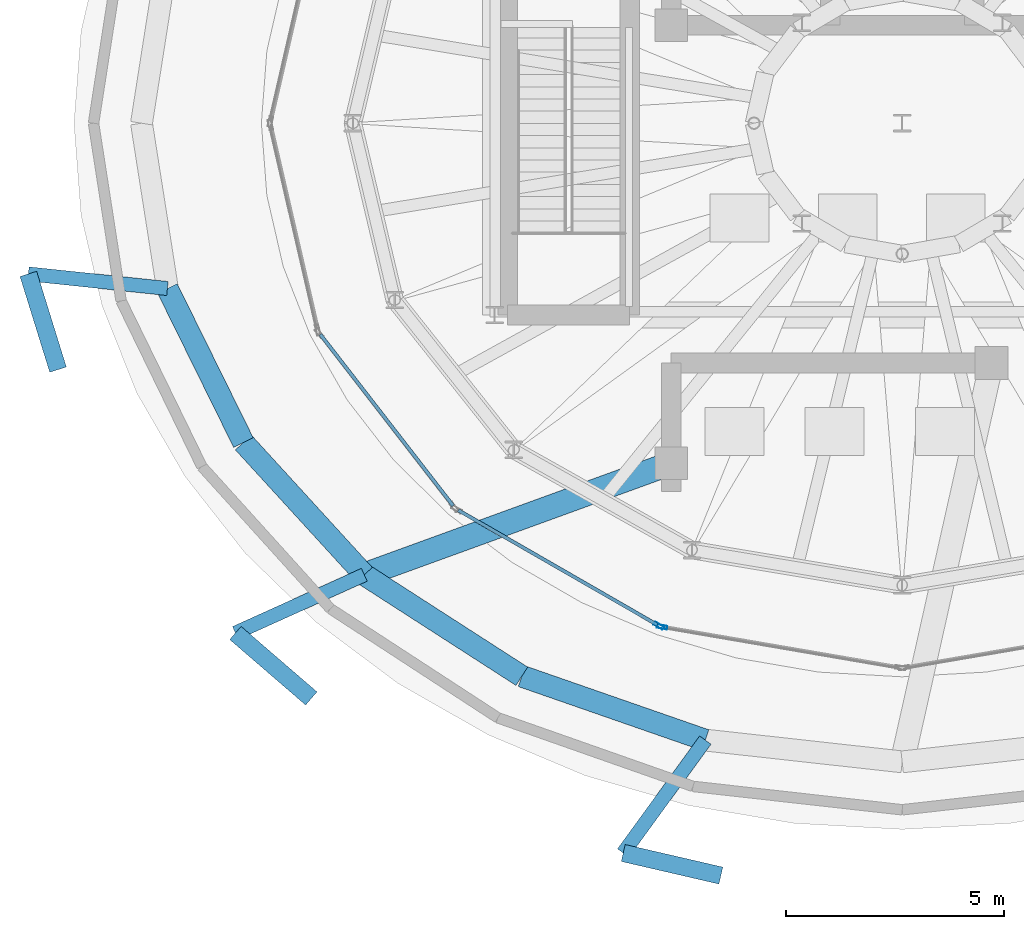
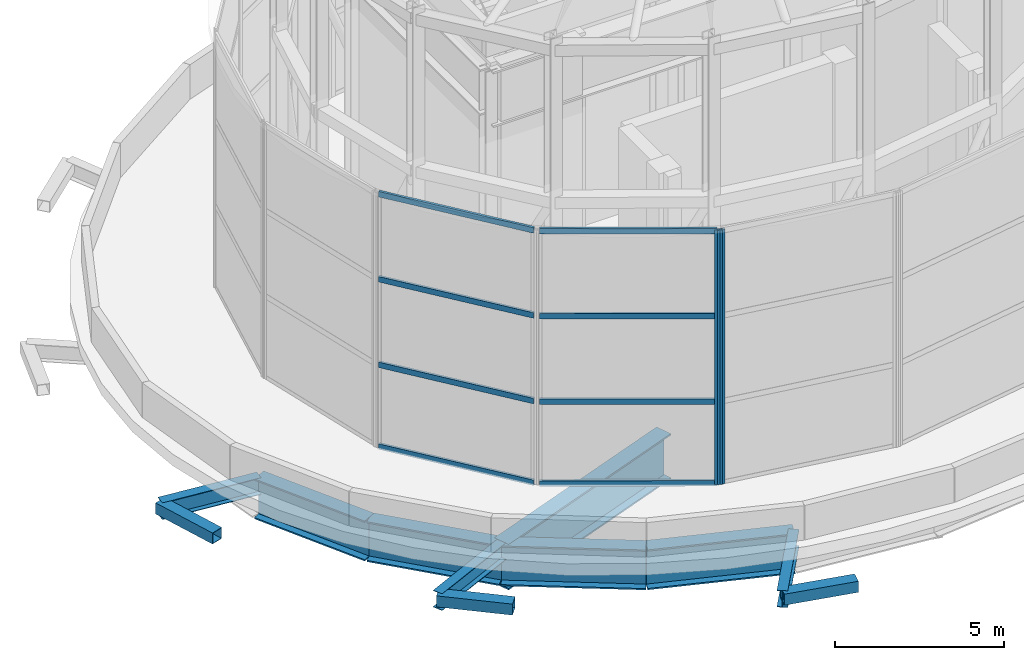
# One storey, part 2 of 22: 11 beams, 10 members, 3 elements without a shape of their own.
"""IFC4 building model written with IfcOpenShell, lengths in metres."""

from ifc_helpers import new_model, si_unit, direction, frame, origin, origin_2d, place, context, subcontext, project, spatial, hollow_rectangle, i_section, extrude, material, layer, layer_set, material_profile, profile_set, type_object, element, aggregate, save


model = new_model("IFC4")

# Units and contexts
model_context = context("Model", 3, precision=1e-05, world=origin(), true_north=direction((0.0, 1.0)))
body_context = subcontext(model_context, "Body", "Model", "MODEL_VIEW")
ifc_project = project(units=[si_unit("LENGTHUNIT", "METRE"), si_unit("AREAUNIT", "SQUARE_METRE"), si_unit("VOLUMEUNIT", "CUBIC_METRE"), si_unit("PLANEANGLEUNIT", "RADIAN"), si_unit("MASSUNIT", "GRAM", prefix="KILO")], contexts=[model_context])

# Site, building, storey
site_placement = place(None, origin())
site = spatial("IfcSite", under=ifc_project, at=site_placement, CompositionType="ELEMENT")
building_placement = place(site_placement, origin())
building = spatial("IfcBuilding", under=site, at=building_placement, Name="Nuhasar Tower", CompositionType="ELEMENT")
storey_placement = place(building_placement, frame((0.0, 0.0, 313.39990234375)))
storey = spatial("IfcBuildingStorey", under=building, at=storey_placement, Name="Roof Drum", CompositionType="ELEMENT", Elevation=313.39990234375)

# Beams
ifc_material_1 = material(Name="Steel S355", Category="steel")
ifc_material_profile_1 = material_profile(ifc_material_1, hollow_rectangle(XDim=0.39990234375, YDim=0.39990234375, WallThickness=0.01611328125, at=origin_2d()), Name="HSS400X400X16")
ifc_profile_set_1 = profile_set([ifc_material_profile_1], Name="Steel S355")
beam_type_1 = type_object("IfcBeamType", Name="BM-CRN-HSS400", PredefinedType="SPANDREL", material=ifc_profile_set_1)
beam_1_placement = place(storey_placement, frame((18.9541015625, 23.343017578125, -0.619873046875), z_axis=(0.296539469772, -0.955020598138, 0.0), x_axis=(0.955020598138, 0.296539469772, 0.0)))
element("IfcBeam", 1, at=beam_1_placement, inside=storey, type_object=beam_type_1, Name="Roof Drum Top Exoskeleton Collar Beam 07", PredefinedType="SPANDREL", context=body_context, shape_type="SweptSolid", body=[
    extrude(hollow_rectangle(XDim=0.39990234375, YDim=0.39990234375, WallThickness=0.01611328125, at=origin_2d()), origin(), (0.0, 0.0, 1.0), 2.299560546875),
])
for number, where, z_axis, x_axis, name in (
    (2, (23.7041015625, 15.10595703125, -0.619873046875), (0.757350224271, -0.653008910962, 0.0), (0.653008910962, 0.757350224271, 0.0), "Roof Drum Top Exoskeleton Collar Beam 08"),
    (3, (32.60009765625, 10.05908203125, -0.619873046875), (0.974303462715, -0.225239345014, 0.0), (0.225239345014, 0.974303462715, 0.0), "Roof Drum Top Exoskeleton Collar Beam 09"),
):
    element("IfcBeam", number, at=place(storey_placement, frame(where, z_axis=z_axis, x_axis=x_axis)), inside=storey, type_object=beam_type_1, Name=name, PredefinedType="SPANDREL", context=body_context, shape_type="SweptSolid", body=[
        extrude(hollow_rectangle(XDim=0.39990234375, YDim=0.39990234375, WallThickness=0.01611328125, at=origin_2d()), origin(), (0.0, 0.0, 1.0), 2.300048828125),
    ])
ifc_material_profile_2 = material_profile(ifc_material_1, i_section(OverallWidth=0.323974609375, OverallDepth=0.611083984375, WebThickness=0.0126953125, FlangeThickness=0.01904296875, at=origin_2d()), Name="W24X104")
ifc_profile_set_2 = profile_set([ifc_material_profile_2], Name="Steel S355")
beam_type_2 = type_object("IfcBeamType", Name="BM-TIE-W24X104", PredefinedType="BEAM", material=ifc_profile_set_2)
beam_2_placement = place(storey_placement, frame((22.14501953125, 23.008056640625, -0.724853515625), z_axis=(-0.994535432279, 0.104399587841, 0.0), x_axis=(-0.104399587841, -0.994535432279, 0.0)))
element("IfcBeam", 4, at=beam_2_placement, inside=storey, type_object=beam_type_2, Name="Roof Drum Top Exoskeleton Tie Beam 07", PredefinedType="BEAM", context=body_context, shape_type="SweptSolid", body=[
    extrude(i_section(OverallWidth=0.323974609375, OverallDepth=0.611083984375, WebThickness=0.0126953125, FlangeThickness=0.01904296875, at=origin_2d()), origin(), (0.0, 0.0, 1.0), 3.20849609375),
])
beam_3_placement = place(storey_placement, frame((26.660888671875, 16.44091796875, -0.724853515625), z_axis=(-0.911412482732, -0.411493968754, 0.0), x_axis=(0.411493968754, -0.911412482732, 0.0)))
element("IfcBeam", 5, at=beam_3_placement, inside=storey, type_object=beam_type_2, Name="Roof Drum Top Exoskeleton Tie Beam 08", PredefinedType="BEAM", context=body_context, shape_type="SweptSolid", body=[
    extrude(i_section(OverallWidth=0.323974609375, OverallDepth=0.611083984375, WebThickness=0.0126953125, FlangeThickness=0.01904296875, at=origin_2d()), origin(), (0.0, 0.0, 1.0), 3.244140625),
])
beam_4_placement = place(storey_placement, frame((34.48388671875, 12.64892578125, -0.724853515625), z_axis=(-0.588226090754, -0.808696522903, 0.0), x_axis=(0.808696522903, -0.588226090754, 0.0)))
element("IfcBeam", 6, at=beam_4_placement, inside=storey, type_object=beam_type_2, Name="Roof Drum Top Exoskeleton Tie Beam 09", PredefinedType="BEAM", context=body_context, shape_type="SweptSolid", body=[
    extrude(i_section(OverallWidth=0.323974609375, OverallDepth=0.611083984375, WebThickness=0.0126953125, FlangeThickness=0.01904296875, at=origin_2d()), origin(), (0.0, 0.0, 1.0), 3.202392578125),
])
ifc_material_2 = material(Name="Steel S460", Category="steel")
ifc_material_profile_3 = material_profile(ifc_material_2, i_section(OverallWidth=0.5, OverallDepth=1.449951171875, WebThickness=0.028076171875, FlangeThickness=0.050048828125, at=origin_2d()), Name="PG1450X500")
ifc_profile_set_3 = profile_set([ifc_material_profile_3], Name="Steel S460")
beam_type_3 = type_object("IfcBeamType", Name="BM-XFER-PG1450", PredefinedType="USERDEFINED", material=ifc_profile_set_3)
beam_5_placement = place(storey_placement, frame((22.14501953125, 23.008056640625, -1.14501953125), z_axis=(0.442422907363, -0.896806540476, 0.0), x_axis=(0.896806540476, 0.442422907363, 0.0)))
element("IfcBeam", 7, at=beam_5_placement, inside=storey, type_object=beam_type_3, Name="Roof Drum Outer Setback Spandrel 14", ObjectType="GIRDER", PredefinedType="USERDEFINED", context=body_context, shape_type="SweptSolid", body=[
    extrude(i_section(OverallWidth=0.5, OverallDepth=1.449951171875, WebThickness=0.028076171875, FlangeThickness=0.050048828125, at=origin_2d()), origin(), (0.0, 0.0, 1.0), 3.939453125),
])
beam_6_placement = place(storey_placement, frame((23.887939453125, 19.47509765625, -1.14501953125), z_axis=(0.674615744009, -0.738169084922, 0.0), x_axis=(0.738169084922, 0.674615744009, 0.0)))
element("IfcBeam", 8, at=beam_6_placement, inside=storey, type_object=beam_type_3, Name="Roof Drum Outer Setback Spandrel 15", ObjectType="GIRDER", PredefinedType="USERDEFINED", context=body_context, shape_type="SweptSolid", body=[
    extrude(i_section(OverallWidth=0.5, OverallDepth=1.449951171875, WebThickness=0.028076171875, FlangeThickness=0.050048828125, at=origin_2d()), origin(), (0.0, 0.0, 1.0), 4.1103515625),
])
beam_7_placement = place(storey_placement, frame((26.660888671875, 16.44091796875, -1.14501953125), z_axis=(0.840692841322, -0.541512277377, 0.0), x_axis=(0.541512277377, 0.840692841322, 0.0)))
element("IfcBeam", 9, at=beam_7_placement, inside=storey, type_object=beam_type_3, Name="Roof Drum Outer Setback Spandrel 16", ObjectType="GIRDER", PredefinedType="USERDEFINED", context=body_context, shape_type="SweptSolid", body=[
    extrude(i_section(OverallWidth=0.5, OverallDepth=1.449951171875, WebThickness=0.028076171875, FlangeThickness=0.050048828125, at=origin_2d()), origin(), (0.0, 0.0, 1.0), 4.298828125),
])
beam_8_placement = place(storey_placement, frame((30.27490234375, 14.113037109375, -1.14501953125), z_axis=(0.944488666475, -0.328543998425, 0.0), x_axis=(0.328543998425, 0.944488666475, 0.0)))
element("IfcBeam", 10, at=beam_8_placement, inside=storey, type_object=beam_type_3, Name="Roof Drum Outer Setback Spandrel 17", ObjectType="GIRDER", PredefinedType="USERDEFINED", context=body_context, shape_type="SweptSolid", body=[
    extrude(i_section(OverallWidth=0.5, OverallDepth=1.449951171875, WebThickness=0.028076171875, FlangeThickness=0.050048828125, at=origin_2d()), origin(), (0.0, 0.0, 1.0), 4.456298828125),
])
ifc_material_profile_4 = material_profile(ifc_material_2, i_section(OverallWidth=0.550048828125, OverallDepth=1.64990234375, WebThickness=0.031982421875, FlangeThickness=0.054931640625, at=origin_2d()), Name="PG1650X550")
ifc_profile_set_4 = profile_set([ifc_material_profile_4], Name="Steel S460")
beam_type_4 = type_object("IfcBeamType", Name="BM-XFER-PG1650", PredefinedType="USERDEFINED", material=ifc_profile_set_4)
beam_9_placement = place(storey_placement, frame((33.699951171875, 19.0, -1.244873046875), z_axis=(-0.939818165705, -0.341675014321, 0.0), x_axis=(0.341675014321, -0.939818165705, 0.0)))
element("IfcBeam", 11, at=beam_9_placement, inside=storey, type_object=beam_type_4, Name="Roof Drum Primary Radial Transfer Girder 01", ObjectType="GIRDER", PredefinedType="USERDEFINED", context=body_context, shape_type="SweptSolid", body=[
    extrude(i_section(OverallWidth=0.550048828125, OverallDepth=1.64990234375, WebThickness=0.031982421875, FlangeThickness=0.054931640625, at=origin_2d()), origin(), (0.0, 0.0, 1.0), 7.48974609375),
])

# Curtain wall, member
ifc_material_3 = material(Name="Aluminium 6063-T6", Category="aluminium")
ifc_layer = layer(ifc_material_3, 0.219970703125)
ifc_layer_set = layer_set([ifc_layer], Name="Aluminium 6063-T6")
curtain_wall_type = type_object("IfcCurtainWallType", Name="CW-CROWN", PredefinedType="NOTDEFINED", material=ifc_layer_set)
curtain_wall_1_placement = place(storey_placement, origin())
curtain_wall_1 = element("IfcCurtainWall", 12, at=curtain_wall_1_placement, inside=storey, type_object=curtain_wall_type, Name="Crown Lantern Curtain Wall 11", PredefinedType="NOTDEFINED")
ifc_material_profile_5 = material_profile(ifc_material_3, hollow_rectangle(XDim=0.080078125, YDim=0.239990234375, WallThickness=0.0048828125, at=origin_2d()), Name="CWM-7")
ifc_profile_set_5 = profile_set([ifc_material_profile_5], Name="Aluminium 6063-T6")
member_type_1 = type_object("IfcMemberType", Name="CW-MUL-S7", PredefinedType="MULLION", material=ifc_profile_set_5)
member_1_placement = place(storey_placement, frame((33.416259765625, 15.27197265625, 0.0), z_axis=(0.0, 0.0, 1.0), x_axis=(0.499052486842, 0.866571760085, 0.0)))
member_1 = element("IfcMember", 13, at=member_1_placement, type_object=member_type_1, Name="CW-CR mullion 2", PredefinedType="MULLION", context=body_context, shape_type="SweptSolid", body=[
    extrude(hollow_rectangle(XDim=0.080078125, YDim=0.239990234375, WallThickness=0.0048828125, at=origin_2d()), origin(), (0.0, 0.0, 1.0), 9.22021484375),
])

curtain_wall_2_placement = place(storey_placement, origin())
curtain_wall_2 = element("IfcCurtainWall", 14, at=curtain_wall_2_placement, inside=storey, type_object=curtain_wall_type, Name="Crown Lantern Curtain Wall 12", PredefinedType="NOTDEFINED")
member_2_placement = place(storey_placement, frame((33.490478515625, 15.2451171875, 0.0), z_axis=(0.0, 0.0, 1.0), x_axis=(0.169091991353, 0.985600273164, 0.0)))
member_2 = element("IfcMember", 15, at=member_2_placement, type_object=member_type_1, Name="CW-CR mullion 1", PredefinedType="MULLION", context=body_context, shape_type="SweptSolid", body=[
    extrude(hollow_rectangle(XDim=0.080078125, YDim=0.239990234375, WallThickness=0.0048828125, at=origin_2d()), origin(), (0.0, 0.0, 1.0), 9.22021484375),
])
aggregate(curtain_wall_2, [member_2])

# Curtain wall, members
curtain_wall_3_placement = place(storey_placement, origin())
curtain_wall_3 = element("IfcCurtainWall", 16, at=curtain_wall_3_placement, inside=storey, type_object=curtain_wall_type, Name="Crown Lantern Curtain Wall 10", PredefinedType="NOTDEFINED")
ifc_material_profile_6 = material_profile(ifc_material_3, hollow_rectangle(XDim=0.080078125, YDim=0.199951171875, WallThickness=0.00439453125, at=origin_2d()), Name="CWT-7")
ifc_profile_set_6 = profile_set([ifc_material_profile_6], Name="Aluminium 6063-T6")
member_type_2 = type_object("IfcMemberType", Name="CW-TRN-S7", PredefinedType="USERDEFINED", material=ifc_profile_set_6)
member_3_placement = place(storey_placement, frame((25.653076171875, 21.952880859375, 0.0400390625), z_axis=(0.612593145714, -0.790398404492, 0.0), x_axis=(0.790398404492, 0.612593145714, 0.0)))
member_3 = element("IfcMember", 17, at=member_3_placement, type_object=member_type_2, Name="CW-CR transom 1.1", ObjectType="TRANSOM", PredefinedType="USERDEFINED", context=body_context, shape_type="SweptSolid", body=[
    extrude(hollow_rectangle(XDim=0.080078125, YDim=0.199951171875, WallThickness=0.00439453125, at=origin_2d()), origin(), (0.0, 0.0, 1.0), 4.970458984375),
])
member_4_placement = place(storey_placement, frame((25.653076171875, 21.952880859375, 3.0), z_axis=(0.612593145714, -0.790398404492, 0.0), x_axis=(0.790398404492, 0.612593145714, 0.0)))
member_4 = element("IfcMember", 18, at=member_4_placement, type_object=member_type_2, Name="CW-CR transom 1.2", ObjectType="TRANSOM", PredefinedType="USERDEFINED", context=body_context, shape_type="SweptSolid", body=[
    extrude(hollow_rectangle(XDim=0.080078125, YDim=0.199951171875, WallThickness=0.00439453125, at=origin_2d()), origin(), (0.0, 0.0, 1.0), 4.970458984375),
])
member_5_placement = place(storey_placement, frame((25.653076171875, 21.952880859375, 6.10009765625), z_axis=(0.612593145714, -0.790398404492, 0.0), x_axis=(0.790398404492, 0.612593145714, 0.0)))
member_5 = element("IfcMember", 19, at=member_5_placement, type_object=member_type_2, Name="CW-CR transom 1.3", ObjectType="TRANSOM", PredefinedType="USERDEFINED", context=body_context, shape_type="SweptSolid", body=[
    extrude(hollow_rectangle(XDim=0.080078125, YDim=0.199951171875, WallThickness=0.00439453125, at=origin_2d()), origin(), (0.0, 0.0, 1.0), 4.970458984375),
])
member_6_placement = place(storey_placement, frame((25.653076171875, 21.952880859375, 9.18017578125), z_axis=(0.612593145714, -0.790398404492, 0.0), x_axis=(0.790398404492, 0.612593145714, 0.0)))
member_6 = element("IfcMember", 20, at=member_6_placement, type_object=member_type_2, Name="CW-CR transom 1.4", ObjectType="TRANSOM", PredefinedType="USERDEFINED", context=body_context, shape_type="SweptSolid", body=[
    extrude(hollow_rectangle(XDim=0.080078125, YDim=0.199951171875, WallThickness=0.00439453125, at=origin_2d()), origin(), (0.0, 0.0, 1.0), 4.970458984375),
])
aggregate(curtain_wall_3, [member_3, member_4, member_5, member_6])

# Member
member_7_placement = place(storey_placement, frame((28.81640625, 17.921142578125, 0.0400390625), z_axis=(0.866564154904, -0.499065692505, 0.0), x_axis=(0.499065692505, 0.866564154904, 0.0)))
member_7 = element("IfcMember", 21, at=member_7_placement, type_object=member_type_2, Name="CW-CR transom 1.1", ObjectType="TRANSOM", PredefinedType="USERDEFINED", context=body_context, shape_type="SweptSolid", body=[
    extrude(hollow_rectangle(XDim=0.080078125, YDim=0.199951171875, WallThickness=0.00439453125, at=origin_2d()), origin(), (0.0, 0.0, 1.0), 5.26806640625),
])

member_8_placement = place(storey_placement, frame((28.81640625, 17.921142578125, 3.0), z_axis=(0.866564154904, -0.499065692505, 0.0), x_axis=(0.499065692505, 0.866564154904, 0.0)))
member_8 = element("IfcMember", 22, at=member_8_placement, type_object=member_type_2, Name="CW-CR transom 1.2", ObjectType="TRANSOM", PredefinedType="USERDEFINED", context=body_context, shape_type="SweptSolid", body=[
    extrude(hollow_rectangle(XDim=0.080078125, YDim=0.199951171875, WallThickness=0.00439453125, at=origin_2d()), origin(), (0.0, 0.0, 1.0), 5.26806640625),
])

member_9_placement = place(storey_placement, frame((28.81640625, 17.921142578125, 6.10009765625), z_axis=(0.866564154904, -0.499065692505, 0.0), x_axis=(0.499065692505, 0.866564154904, 0.0)))
member_9 = element("IfcMember", 23, at=member_9_placement, type_object=member_type_2, Name="CW-CR transom 1.3", ObjectType="TRANSOM", PredefinedType="USERDEFINED", context=body_context, shape_type="SweptSolid", body=[
    extrude(hollow_rectangle(XDim=0.080078125, YDim=0.199951171875, WallThickness=0.00439453125, at=origin_2d()), origin(), (0.0, 0.0, 1.0), 5.26806640625),
])

member_10_placement = place(storey_placement, frame((28.81640625, 17.921142578125, 9.18017578125), z_axis=(0.866564154904, -0.499065692505, 0.0), x_axis=(0.499065692505, 0.866564154904, 0.0)))
member_10 = element("IfcMember", 24, at=member_10_placement, type_object=member_type_2, Name="CW-CR transom 1.4", ObjectType="TRANSOM", PredefinedType="USERDEFINED", context=body_context, shape_type="SweptSolid", body=[
    extrude(hollow_rectangle(XDim=0.080078125, YDim=0.199951171875, WallThickness=0.00439453125, at=origin_2d()), origin(), (0.0, 0.0, 1.0), 5.26806640625),
])

aggregate(curtain_wall_1, [member_1, member_7, member_8, member_9, member_10])

save(model, "model.ifc")
